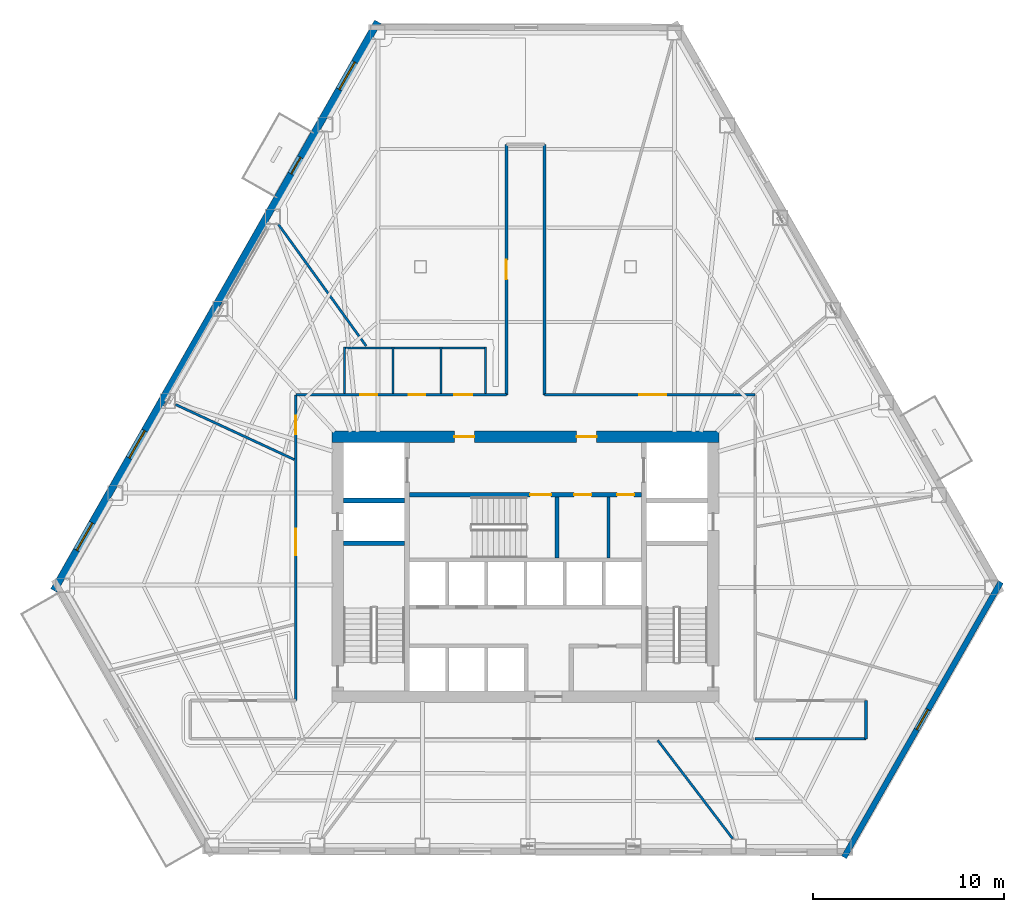
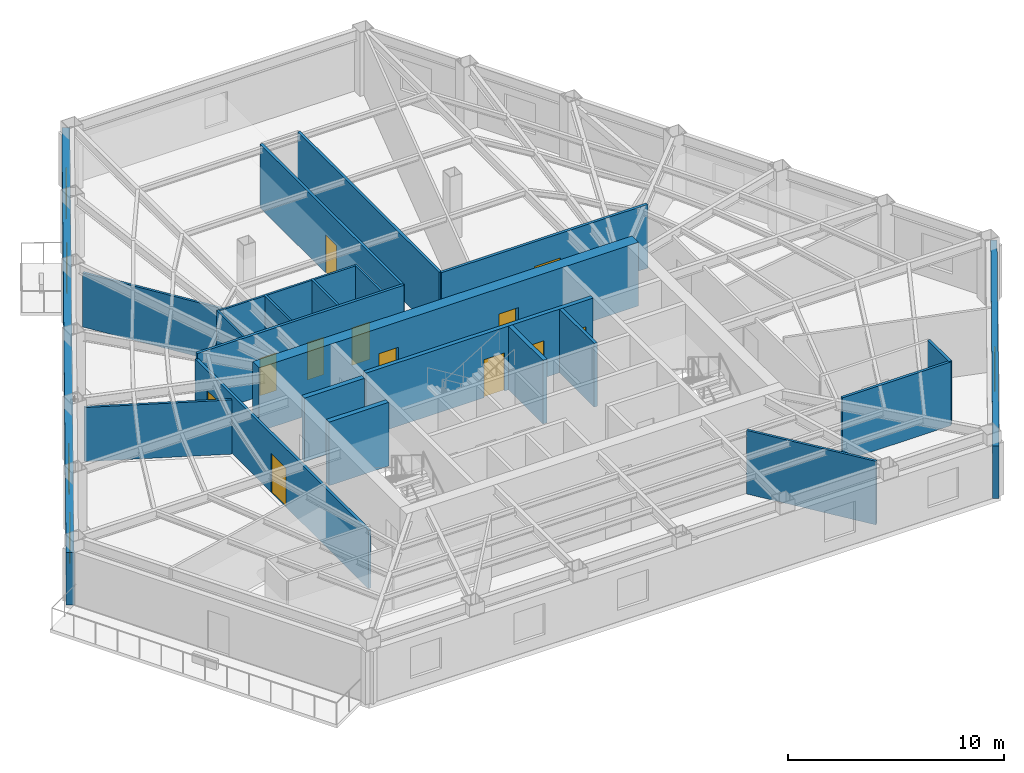
# One storey, part 9 of 14: 23 walls, 13 doors, 4 windows, 17 openings.
"""IFC4 building model written with IfcOpenShell, lengths in metres."""

from ifc_helpers import new_model, si_unit, direction, frame, frame_2d, origin, place, context, subcontext, project, spatial, rectangle, extrude, material, layer, layer_set, type_object, element, fill, save


model = new_model("IFC4")

# Units and contexts
model_context = context("Model", 3, precision=1e-05, world=origin(), true_north=direction((0.0, 1.0)))
body_context = subcontext(model_context, "Body", "Model", "MODEL_VIEW")
ifc_project = project(units=[si_unit("LENGTHUNIT", "METRE"), si_unit("AREAUNIT", "SQUARE_METRE"), si_unit("VOLUMEUNIT", "CUBIC_METRE"), si_unit("PLANEANGLEUNIT", "RADIAN"), si_unit("MASSUNIT", "GRAM", prefix="KILO")], contexts=[model_context])

# Site, building, storey
site_placement = place(None, origin())
site = spatial("IfcSite", under=ifc_project, at=site_placement, CompositionType="ELEMENT")
building_placement = place(site_placement, origin())
building = spatial("IfcBuilding", under=site, at=building_placement, Name="Kavelnor Concourse Tower", CompositionType="ELEMENT")
storey_placement = place(building_placement, frame((0.0, 0.0, 32.949951171875)))
storey = spatial("IfcBuildingStorey", under=building, at=storey_placement, Name="L08", CompositionType="ELEMENT", Elevation=32.949951171875)

# Wall, openings, doors
ifc_material_1 = material(Name="Concrete C60/75", Category="concrete")
ifc_layer_1 = layer(ifc_material_1, 0.60009765625, Name="Concrete C60/75")
ifc_layer_set_1 = layer_set([ifc_layer_1], Name="Concrete C60/75")
wall_type_1 = type_object("IfcWallType", Name="WL-CORE-Z1-600", PredefinedType="SOLIDWALL", material=ifc_layer_set_1)
wall_1_placement = place(storey_placement, frame((27.8798828125, 22.89990234375, 0.0), z_axis=(0.0, 0.0, 1.0), x_axis=(1.0, 0.0, 0.0)))
wall_1 = element("IfcWall", 1, at=wall_1_placement, inside=storey, type_object=wall_type_1, Name="L08 Central Core North Shear Wall", PredefinedType="SOLIDWALL", context=body_context, shape_type="SweptSolid", body=[
    extrude(rectangle(XDim=20.240234375, YDim=0.60009765625, at=frame_2d((10.1201171875, 0.0))), origin(), (0.0, 0.0, 1.0), 3.590087890625),
])
opening_1_placement = place(wall_1_placement, frame((6.39501953125, 0.0, 0.0)))
opening_1 = element("IfcOpeningElement", 2, at=opening_1_placement, cuts=wall_1, Name="Opening FD-105", PredefinedType="OPENING", context=body_context, shape_type="SweptSolid", body=[
    extrude(rectangle(XDim=1.050048828125, YDim=2.14990234375, at=frame_2d((0.52490234375, 1.074951171875))), frame((0.0, 0.31005859375, 0.0), z_axis=(0.0, -1.0, 0.0), x_axis=(1.0, 0.0, 0.0)), (0.0, 0.0, 1.0), 0.6201171875),
])
opening_2_placement = place(wall_1_placement, frame((12.794921875, 0.0, 0.0)))
opening_2 = element("IfcOpeningElement", 3, at=opening_2_placement, cuts=wall_1, Name="Opening FD-105", PredefinedType="OPENING", context=body_context, shape_type="SweptSolid", body=[
    extrude(rectangle(XDim=1.050048828125, YDim=2.14990234375, at=frame_2d((0.52490234375, 1.074951171875))), frame((0.0, 0.31005859375, 0.0), z_axis=(0.0, -1.0, 0.0), x_axis=(1.0, 0.0, 0.0)), (0.0, 0.0, 1.0), 0.6201171875),
])
ifc_material_2 = material(Name="Steel Grade 350", Category="steel")
door_type_1 = type_object("IfcDoorType", Name="DR-LOBBY-FIRE-1050", OperationType="NOTDEFINED", PredefinedType="DOOR", material=ifc_material_2)
door_1_placement = place(opening_1_placement, origin())
door_1 = element("IfcDoor", 4, at=door_1_placement, inside=storey, type_object=door_type_1, Name="L08 Emergency Lift Lobby West Door", OperationType="SINGLE_SWING_LEFT", OverallHeight=2.14990234375, OverallWidth=1.050048828125, PredefinedType="DOOR", context=body_context, shape_type="SweptSolid", body=[
    extrude(rectangle(XDim=1.050048828125, YDim=2.14990234375, at=frame_2d((0.52490234375, 1.074951171875))), frame((0.0, 0.02490234375, 0.0), z_axis=(0.0, -1.0, 0.0), x_axis=(1.0, 0.0, 0.0)), (0.0, 0.0, 1.0), 0.050048828125),
])
fill(opening_1, door_1)
door_2_placement = place(opening_2_placement, origin())
door_2 = element("IfcDoor", 5, at=door_2_placement, inside=storey, type_object=door_type_1, Name="L08 Emergency Lift Lobby East Door", OperationType="SINGLE_SWING_RIGHT", OverallHeight=2.14990234375, OverallWidth=1.050048828125, PredefinedType="DOOR", context=body_context, shape_type="SweptSolid", body=[
    extrude(rectangle(XDim=1.050048828125, YDim=2.14990234375, at=frame_2d((0.52490234375, 1.074951171875))), frame((0.0, 0.02490234375, 0.0), z_axis=(0.0, -1.0, 0.0), x_axis=(1.0, 0.0, 0.0)), (0.0, 0.0, 1.0), 0.050048828125),
])
fill(opening_2, door_2)

# Wall, opening, window
ifc_material_3 = material(Name="Buff ironspot clay face brick masonry", Category="masonry")
ifc_layer_2 = layer(ifc_material_3, 0.300048828125, Name="Buff ironspot clay face brick masonry")
ifc_layer_set_2 = layer_set([ifc_layer_2], Name="Buff ironspot clay face brick masonry")
wall_type_2 = type_object("IfcWallType", Name="WL-EXT-BUFF-BRICK-FOLD-300", PredefinedType="STANDARD", material=ifc_layer_set_2)
wall_2_placement = place(storey_placement, frame((62.871826171875, 15.301025390625, 0.0), z_axis=(0.0, 0.0, 1.0), x_axis=(-0.495028156912, -0.868876932519, 0.0)))
wall_2 = element("IfcWall", 6, at=wall_2_placement, inside=storey, type_object=wall_type_2, Name="L08 Exterior Brick Facade Wall E4", PredefinedType="STANDARD", context=body_context, shape_type="SweptSolid", body=[
    extrude(rectangle(XDim=16.574951171875, YDim=0.300048828125, at=frame_2d((8.28759765625, 0.0))), origin(), (0.0, 0.0, 1.0), 2.969970703125),
])
opening_3_placement = place(wall_2_placement, frame((7.6875, 0.0, 0.64990234375)))
opening_3 = element("IfcOpeningElement", 7, at=opening_3_placement, cuts=wall_2, Name="Opening W-05", PredefinedType="OPENING", context=body_context, shape_type="SweptSolid", body=[
    extrude(rectangle(XDim=1.199951171875, YDim=1.699951171875, at=frame_2d((0.60009765625, 0.85009765625))), frame((0.0, 0.16015625, 0.0), z_axis=(0.0, -1.0, 0.0), x_axis=(1.0, 0.0, 0.0)), (0.0, 0.0, 1.0), 0.320068359375),
])
ifc_material_4 = material(Name="Double low-E argon insulated glazing", Category="glass")
window_type_1 = type_object("IfcWindowType", Name="WIN-FOLD-1200", PartitioningType="SINGLE_PANEL", PredefinedType="WINDOW", material=ifc_material_4)
window_1_placement = place(opening_3_placement, origin())
window_1 = element("IfcWindow", 8, at=window_1_placement, inside=storey, type_object=window_type_1, Name="L08 Chamfer-Fold Facet Window C2", OverallHeight=1.699951171875, OverallWidth=1.199951171875, PartitioningType="SINGLE_PANEL", PredefinedType="WINDOW", context=body_context, shape_type="SweptSolid", body=[
    extrude(rectangle(XDim=1.199951171875, YDim=1.699951171875, at=frame_2d((0.60009765625, 0.85009765625))), frame((0.0, 0.030029296875, 0.0), z_axis=(0.0, -1.0, 0.0), x_axis=(1.0, 0.0, 0.0)), (0.0, 0.0, 1.0), 0.06005859375),
])
fill(opening_3, window_1)

# Wall, openings, door, windows
ifc_material_5 = material(Name="Red-ochre clay face brick masonry", Category="masonry")
ifc_layer_3 = layer(ifc_material_5, 0.3798828125, Name="Red-ochre clay face brick masonry")
ifc_layer_set_3 = layer_set([ifc_layer_3], Name="Red-ochre clay face brick masonry")
wall_type_3 = type_object("IfcWallType", Name="WL-EXT-RED-BRICK-PIER-380", PredefinedType="STANDARD", material=ifc_layer_set_3)
wall_3_placement = place(storey_placement, frame((13.31982421875, 14.8564453125, 0.0), z_axis=(0.0, 0.0, 1.0), x_axis=(0.495031565758, 0.868874990378, 0.0)))
wall_3 = element("IfcWall", 9, at=wall_3_placement, inside=storey, type_object=wall_type_3, Name="L08 Exterior Brick Facade Wall E1", PredefinedType="STANDARD", context=body_context, shape_type="SweptSolid", body=[
    extrude(rectangle(XDim=34.24951171875, YDim=0.3798828125, at=frame_2d((17.124755859375, 0.0))), origin(), (0.0, 0.0, 1.0), 2.969970703125),
])
opening_4_placement = place(wall_3_placement, frame((25.087158203125, 0.0, 0.0)))
opening_4 = element("IfcOpeningElement", 10, at=opening_4_placement, cuts=wall_3, Name="Opening BD-100", PredefinedType="OPENING", context=body_context, shape_type="SweptSolid", body=[
    extrude(rectangle(XDim=1.0, YDim=2.199951171875, at=frame_2d((0.5, 1.10009765625))), frame((0.0, 0.199951171875, 0.0), z_axis=(0.0, -1.0, 0.0), x_axis=(1.0, 0.0, 0.0)), (0.0, 0.0, 1.0), 0.39990234375),
])
opening_5_placement = place(wall_3_placement, frame((30.170166015625, 0.0, 0.64990234375)))
opening_5 = element("IfcOpeningElement", 11, at=opening_5_placement, cuts=wall_3, Name="Opening W-01", PredefinedType="OPENING", context=body_context, shape_type="SweptSolid", body=[
    extrude(rectangle(XDim=1.64990234375, YDim=1.75, at=frame_2d((0.824951171875, 0.875))), frame((0.0, 0.199951171875, 0.0), z_axis=(0.0, -1.0, 0.0), x_axis=(1.0, 0.0, 0.0)), (0.0, 0.0, 1.0), 0.39990234375),
])
opening_6_placement = place(wall_3_placement, frame((7.97314453125, 0.0, 0.64990234375)))
opening_6 = element("IfcOpeningElement", 12, at=opening_6_placement, cuts=wall_3, Name="Opening W-01", PredefinedType="OPENING", context=body_context, shape_type="SweptSolid", body=[
    extrude(rectangle(XDim=1.64990234375, YDim=1.75, at=frame_2d((0.824951171875, 0.875))), frame((0.0, 0.199951171875, 0.0), z_axis=(0.0, -1.0, 0.0), x_axis=(1.0, 0.0, 0.0)), (0.0, 0.0, 1.0), 0.39990234375),
])
opening_7_placement = place(wall_3_placement, frame((2.423828125, 0.0, 0.64990234375)))
opening_7 = element("IfcOpeningElement", 13, at=opening_7_placement, cuts=wall_3, Name="Opening W-01", PredefinedType="OPENING", context=body_context, shape_type="SweptSolid", body=[
    extrude(rectangle(XDim=1.64990234375, YDim=1.75, at=frame_2d((0.824951171875, 0.875))), frame((0.0, 0.199951171875, 0.0), z_axis=(0.0, -1.0, 0.0), x_axis=(1.0, 0.0, 0.0)), (0.0, 0.0, 1.0), 0.39990234375),
])
ifc_material_6 = material(Name="Anodised aluminium 6063-T6", Category="aluminium")
door_type_2 = type_object("IfcDoorType", Name="DR-BALCONY-EXT-1000", OperationType="NOTDEFINED", PredefinedType="DOOR", material=ifc_material_6)
door_3_placement = place(opening_4_placement, origin())
door_3 = element("IfcDoor", 14, at=door_3_placement, inside=storey, type_object=door_type_2, Name="L08 Tree Balcony 2 Glazed Door", OperationType="SINGLE_SWING_RIGHT", OverallHeight=2.199951171875, OverallWidth=1.0, PredefinedType="DOOR", context=body_context, shape_type="SweptSolid", body=[
    extrude(rectangle(XDim=1.0, YDim=2.199951171875, at=frame_2d((0.5, 1.10009765625))), frame((0.0, 0.02490234375, 0.0), z_axis=(0.0, -1.0, 0.0), x_axis=(1.0, 0.0, 0.0)), (0.0, 0.0, 1.0), 0.050048828125),
])
fill(opening_4, door_3)
window_type_2 = type_object("IfcWindowType", Name="WIN-PIER-Z1-1800", PartitioningType="SINGLE_PANEL", PredefinedType="WINDOW", material=ifc_material_4)
window_2_placement = place(opening_5_placement, origin())
window_2 = element("IfcWindow", 15, at=window_2_placement, inside=storey, type_object=window_type_2, Name="L08 Deep-Set Brick Pier Window F0-B0", OverallHeight=1.75, OverallWidth=1.64990234375, PartitioningType="SINGLE_PANEL", PredefinedType="WINDOW", context=body_context, shape_type="SweptSolid", body=[
    extrude(rectangle(XDim=1.64990234375, YDim=1.75, at=frame_2d((0.824951171875, 0.875))), frame((0.0, 0.030029296875, 0.0), z_axis=(0.0, -1.0, 0.0), x_axis=(1.0, 0.0, 0.0)), (0.0, 0.0, 1.0), 0.06005859375),
])
fill(opening_5, window_2)
window_3_placement = place(opening_6_placement, origin())
window_3 = element("IfcWindow", 16, at=window_3_placement, inside=storey, type_object=window_type_2, Name="L08 Deep-Set Brick Pier Window F0-B4", OverallHeight=1.75, OverallWidth=1.64990234375, PartitioningType="SINGLE_PANEL", PredefinedType="WINDOW", context=body_context, shape_type="SweptSolid", body=[
    extrude(rectangle(XDim=1.64990234375, YDim=1.75, at=frame_2d((0.824951171875, 0.875))), frame((0.0, 0.030029296875, 0.0), z_axis=(0.0, -1.0, 0.0), x_axis=(1.0, 0.0, 0.0)), (0.0, 0.0, 1.0), 0.06005859375),
])
fill(opening_6, window_3)
window_4_placement = place(opening_7_placement, origin())
window_4 = element("IfcWindow", 17, at=window_4_placement, inside=storey, type_object=window_type_2, Name="L08 Deep-Set Brick Pier Window F0-B5", OverallHeight=1.75, OverallWidth=1.64990234375, PartitioningType="SINGLE_PANEL", PredefinedType="WINDOW", context=body_context, shape_type="SweptSolid", body=[
    extrude(rectangle(XDim=1.64990234375, YDim=1.75, at=frame_2d((0.824951171875, 0.875))), frame((0.0, 0.030029296875, 0.0), z_axis=(0.0, -1.0, 0.0), x_axis=(1.0, 0.0, 0.0)), (0.0, 0.0, 1.0), 0.06005859375),
])
fill(opening_7, window_4)

# Wall, openings, doors
ifc_material_7 = material(Name="Gypsum plasterboard on light-gauge steel studs", Category="steel")
ifc_layer_4 = layer(ifc_material_7, 0.14501953125, Name="Gypsum plasterboard on light-gauge steel studs")
ifc_layer_set_4 = layer_set([ifc_layer_4], Name="Gypsum plasterboard on light-gauge steel studs")
wall_type_4 = type_object("IfcWallType", Name="WL-INT-CORR-145", PredefinedType="PARTITIONING", material=ifc_layer_set_4)
wall_4_placement = place(storey_placement, frame((25.97998046875, 9.10009765625, 0.0), z_axis=(0.0, 0.0, 1.0), x_axis=(0.0, 1.0, 0.0)))
wall_4 = element("IfcWall", 18, at=wall_4_placement, inside=storey, type_object=wall_type_4, Name="L08 Corridor Wall WL-L08-CR-02", PredefinedType="PARTITIONING", context=body_context, shape_type="SweptSolid", body=[
    extrude(rectangle(XDim=16.0, YDim=0.14501953125, at=frame_2d((8.0, 0.0))), origin(), (0.0, 0.0, 1.0), 3.278076171875),
])
opening_8_placement = place(wall_4_placement, frame((13.93017578125, 0.0, 0.0)))
opening_8 = element("IfcOpeningElement", 19, at=opening_8_placement, cuts=wall_4, Name="Opening OD-098", PredefinedType="OPENING", context=body_context, shape_type="SweptSolid", body=[
    extrude(rectangle(XDim=0.97998046875, YDim=2.14990234375, at=frame_2d((0.489990234375, 1.074951171875))), frame((0.0, 0.08251953125, 0.0), z_axis=(0.0, -1.0, 0.0), x_axis=(1.0, 0.0, 0.0)), (0.0, 0.0, 1.0), 0.1650390625),
])
opening_9_placement = place(wall_4_placement, frame((7.59521484375, 0.0, 0.0)))
opening_9 = element("IfcOpeningElement", 20, at=opening_9_placement, cuts=wall_4, Name="Opening SD-140", PredefinedType="OPENING", context=body_context, shape_type="SweptSolid", body=[
    extrude(rectangle(XDim=1.39990234375, YDim=2.199951171875, at=frame_2d((0.699951171875, 1.10009765625))), frame((0.0, 0.08251953125, 0.0), z_axis=(0.0, -1.0, 0.0), x_axis=(1.0, 0.0, 0.0)), (0.0, 0.0, 1.0), 0.1650390625),
])
ifc_material_8 = material(Name="Solid-core hardwood timber", Category="wood")
door_type_3 = type_object("IfcDoorType", Name="DR-OFFICE-980", OperationType="NOTDEFINED", PredefinedType="DOOR", material=ifc_material_8)
door_4_placement = place(opening_8_placement, origin())
door_4 = element("IfcDoor", 21, at=door_4_placement, inside=storey, type_object=door_type_3, Name="L08 Technical Reference Library 04 Door", OperationType="SINGLE_SWING_LEFT", OverallHeight=2.14990234375, OverallWidth=0.97998046875, PredefinedType="DOOR", context=body_context, shape_type="SweptSolid", body=[
    extrude(rectangle(XDim=0.97998046875, YDim=2.14990234375, at=frame_2d((0.489990234375, 1.074951171875))), frame((0.0, 0.02490234375, 0.0), z_axis=(0.0, -1.0, 0.0), x_axis=(1.0, 0.0, 0.0)), (0.0, 0.0, 1.0), 0.050048828125),
])
fill(opening_8, door_4)
door_type_4 = type_object("IfcDoorType", Name="DR-SUITE-ENTRY-1400", OperationType="NOTDEFINED", PredefinedType="DOOR", material=ifc_material_8)
door_5_placement = place(opening_9_placement, origin())
door_5 = element("IfcDoor", 22, at=door_5_placement, inside=storey, type_object=door_type_4, Name="L08 Technical Reference Library 05 Door", OperationType="SINGLE_SWING_RIGHT", OverallHeight=2.199951171875, OverallWidth=1.39990234375, PredefinedType="DOOR", context=body_context, shape_type="SweptSolid", body=[
    extrude(rectangle(XDim=1.39990234375, YDim=2.199951171875, at=frame_2d((0.699951171875, 1.10009765625))), frame((0.0, 0.02490234375, 0.0), z_axis=(0.0, -1.0, 0.0), x_axis=(1.0, 0.0, 0.0)), (0.0, 0.0, 1.0), 0.050048828125),
])
fill(opening_9, door_5)

wall_5_placement = place(storey_placement, frame((25.97998046875, 25.10009765625, 0.0), z_axis=(0.0, 0.0, 1.0), x_axis=(1.0, 0.0, 0.0)))
wall_5 = element("IfcWall", 23, at=wall_5_placement, inside=storey, type_object=wall_type_4, Name="L08 Corridor Wall WL-L08-CR-03", PredefinedType="PARTITIONING", context=body_context, shape_type="SweptSolid", body=[
    extrude(rectangle(XDim=11.02001953125, YDim=0.14501953125, at=frame_2d((5.510009765625, 0.0))), origin(), (0.0, 0.0, 1.0), 3.590087890625),
])
opening_10_placement = place(wall_5_placement, frame((3.3798828125, 0.0, 0.0)))
opening_10 = element("IfcOpeningElement", 24, at=opening_10_placement, cuts=wall_5, Name="Opening WD-088", PredefinedType="OPENING", context=body_context, shape_type="SweptSolid", body=[
    extrude(rectangle(XDim=0.8798828125, YDim=2.10009765625, at=frame_2d((0.43994140625, 1.050048828125))), frame((0.0, 0.08251953125, 0.0), z_axis=(0.0, -1.0, 0.0), x_axis=(1.0, 0.0, 0.0)), (0.0, 0.0, 1.0), 0.1650390625),
])
opening_11_placement = place(wall_5_placement, frame((5.89990234375, 0.0, 0.0)))
opening_11 = element("IfcOpeningElement", 25, at=opening_11_placement, cuts=wall_5, Name="Opening WD-088", PredefinedType="OPENING", context=body_context, shape_type="SweptSolid", body=[
    extrude(rectangle(XDim=0.8798828125, YDim=2.10009765625, at=frame_2d((0.43994140625, 1.050048828125))), frame((0.0, 0.08251953125, 0.0), z_axis=(0.0, -1.0, 0.0), x_axis=(1.0, 0.0, 0.0)), (0.0, 0.0, 1.0), 0.1650390625),
])
opening_12_placement = place(wall_5_placement, frame((8.280029296875, 0.0, 0.0)))
opening_12 = element("IfcOpeningElement", 26, at=opening_12_placement, cuts=wall_5, Name="Opening WD-096", PredefinedType="OPENING", context=body_context, shape_type="SweptSolid", body=[
    extrude(rectangle(XDim=0.9599609375, YDim=2.10009765625, at=frame_2d((0.47998046875, 1.050048828125))), frame((0.0, 0.08251953125, 0.0), z_axis=(0.0, -1.0, 0.0), x_axis=(1.0, 0.0, 0.0)), (0.0, 0.0, 1.0), 0.1650390625),
])
door_type_5 = type_object("IfcDoorType", Name="DR-WC-ACC-960", OperationType="NOTDEFINED", PredefinedType="DOOR", material=ifc_material_8)
door_6_placement = place(opening_12_placement, origin())
door_6 = element("IfcDoor", 27, at=door_6_placement, inside=storey, type_object=door_type_5, Name="L08 Accessible WC Door", OperationType="SINGLE_SWING_RIGHT", OverallHeight=2.10009765625, OverallWidth=0.9599609375, PredefinedType="DOOR", context=body_context, shape_type="SweptSolid", body=[
    extrude(rectangle(XDim=0.9599609375, YDim=2.10009765625, at=frame_2d((0.47998046875, 1.050048828125))), frame((0.0, 0.02490234375, 0.0), z_axis=(0.0, -1.0, 0.0), x_axis=(1.0, 0.0, 0.0)), (0.0, 0.0, 1.0), 0.050048828125),
])
fill(opening_12, door_6)
door_type_6 = type_object("IfcDoorType", Name="DR-WC-STD-880", OperationType="NOTDEFINED", PredefinedType="DOOR", material=ifc_material_8)
door_7_placement = place(opening_10_placement, origin())
door_7 = element("IfcDoor", 28, at=door_7_placement, inside=storey, type_object=door_type_6, Name="L08 Male WC Door", OperationType="SINGLE_SWING_RIGHT", OverallHeight=2.10009765625, OverallWidth=0.8798828125, PredefinedType="DOOR", context=body_context, shape_type="SweptSolid", body=[
    extrude(rectangle(XDim=0.8798828125, YDim=2.10009765625, at=frame_2d((0.43994140625, 1.050048828125))), frame((0.0, 0.02490234375, 0.0), z_axis=(0.0, -1.0, 0.0), x_axis=(1.0, 0.0, 0.0)), (0.0, 0.0, 1.0), 0.050048828125),
])
fill(opening_10, door_7)
door_8_placement = place(opening_11_placement, origin())
door_8 = element("IfcDoor", 29, at=door_8_placement, inside=storey, type_object=door_type_6, Name="L08 Female WC Door", OperationType="SINGLE_SWING_LEFT", OverallHeight=2.10009765625, OverallWidth=0.8798828125, PredefinedType="DOOR", context=body_context, shape_type="SweptSolid", body=[
    extrude(rectangle(XDim=0.8798828125, YDim=2.10009765625, at=frame_2d((0.43994140625, 1.050048828125))), frame((0.0, 0.02490234375, 0.0), z_axis=(0.0, -1.0, 0.0), x_axis=(1.0, 0.0, 0.0)), (0.0, 0.0, 1.0), 0.050048828125),
])
fill(opening_11, door_8)

# Wall, opening, door
wall_6_placement = place(storey_placement, frame((37.0, 25.10009765625, 0.0), z_axis=(0.0, 0.0, 1.0), x_axis=(0.0, 1.0, 0.0)))
wall_6 = element("IfcWall", 30, at=wall_6_placement, inside=storey, type_object=wall_type_4, Name="L08 Corridor Wall WL-L08-CR-04", PredefinedType="PARTITIONING", context=body_context, shape_type="SweptSolid", body=[
    extrude(rectangle(XDim=13.099853515625, YDim=0.14501953125, at=frame_2d((6.5498046875, 0.0))), origin(), (0.0, 0.0, 1.0), 3.590087890625),
])
opening_13_placement = place(wall_6_placement, frame((6.0400390625, 0.0, 0.0)))
opening_13 = element("IfcOpeningElement", 31, at=opening_13_placement, cuts=wall_6, Name="Opening MD-102", PredefinedType="OPENING", context=body_context, shape_type="SweptSolid", body=[
    extrude(rectangle(XDim=1.02001953125, YDim=2.14990234375, at=frame_2d((0.510009765625, 1.074951171875))), frame((0.0, 0.08251953125, 0.0), z_axis=(0.0, -1.0, 0.0), x_axis=(1.0, 0.0, 0.0)), (0.0, 0.0, 1.0), 0.1650390625),
])
ifc_material_9 = material(Name="Acoustic glazed timber frame", Category="wood")
door_type_7 = type_object("IfcDoorType", Name="DR-MEETING-1020", OperationType="NOTDEFINED", PredefinedType="DOOR", material=ifc_material_9)
door_9_placement = place(opening_13_placement, origin())
door_9 = element("IfcDoor", 32, at=door_9_placement, inside=storey, type_object=door_type_7, Name="L08 Client Boardroom 03 Door", OperationType="SINGLE_SWING_RIGHT", OverallHeight=2.14990234375, OverallWidth=1.02001953125, PredefinedType="DOOR", context=body_context, shape_type="SweptSolid", body=[
    extrude(rectangle(XDim=1.02001953125, YDim=2.14990234375, at=frame_2d((0.510009765625, 1.074951171875))), frame((0.0, 0.02490234375, 0.0), z_axis=(0.0, -1.0, 0.0), x_axis=(1.0, 0.0, 0.0)), (0.0, 0.0, 1.0), 0.050048828125),
])
fill(opening_13, door_9)

# Wall
wall_7_placement = place(storey_placement, frame((39.0, 38.199951171875, 0.0), z_axis=(0.0, 0.0, 1.0), x_axis=(0.0, -1.0, 0.0)))
element("IfcWall", 33, at=wall_7_placement, inside=storey, type_object=wall_type_4, Name="L08 Corridor Wall WL-L08-CR-06", PredefinedType="PARTITIONING", context=body_context, shape_type="SweptSolid", body=[
    extrude(rectangle(XDim=13.099853515625, YDim=0.14501953125, at=frame_2d((6.5498046875, 0.0))), origin(), (0.0, 0.0, 1.0), 3.590087890625),
])

# Wall, opening, door
wall_8_placement = place(storey_placement, frame((39.0, 25.10009765625, 0.0), z_axis=(0.0, 0.0, 1.0), x_axis=(1.0, 0.0, 0.0)))
wall_8 = element("IfcWall", 34, at=wall_8_placement, inside=storey, type_object=wall_type_4, Name="L08 Corridor Wall WL-L08-CR-07", PredefinedType="PARTITIONING", context=body_context, shape_type="SweptSolid", body=[
    extrude(rectangle(XDim=11.02001953125, YDim=0.14501953125, at=frame_2d((5.510009765625, 0.0))), origin(), (0.0, 0.0, 1.0), 3.590087890625),
])
opening_14_placement = place(wall_8_placement, frame((4.959228515625, 0.0, 0.0)))
opening_14 = element("IfcOpeningElement", 35, at=opening_14_placement, cuts=wall_8, Name="Opening SD-140", PredefinedType="OPENING", context=body_context, shape_type="SweptSolid", body=[
    extrude(rectangle(XDim=1.39990234375, YDim=2.199951171875, at=frame_2d((0.699951171875, 1.10009765625))), frame((0.0, 0.08251953125, 0.0), z_axis=(0.0, -1.0, 0.0), x_axis=(1.0, 0.0, 0.0)), (0.0, 0.0, 1.0), 0.1650390625),
])
door_10_placement = place(opening_14_placement, origin())
door_10 = element("IfcDoor", 36, at=door_10_placement, inside=storey, type_object=door_type_4, Name="L08 Architectural Design Studio 02 Door", OperationType="SINGLE_SWING_LEFT", OverallHeight=2.199951171875, OverallWidth=1.39990234375, PredefinedType="DOOR", context=body_context, shape_type="SweptSolid", body=[
    extrude(rectangle(XDim=1.39990234375, YDim=2.199951171875, at=frame_2d((0.699951171875, 1.10009765625))), frame((0.0, 0.02490234375, 0.0), z_axis=(0.0, -1.0, 0.0), x_axis=(1.0, 0.0, 0.0)), (0.0, 0.0, 1.0), 0.050048828125),
])
fill(opening_14, door_10)

# Walls
wall_9_placement = place(storey_placement, frame((55.817138671875, 9.10009765625, 0.0), z_axis=(0.0, 0.0, 1.0), x_axis=(0.0, -1.0, 0.0)))
element("IfcWall", 37, at=wall_9_placement, inside=storey, type_object=wall_type_4, Name="L08 Corridor Wall WL-L08-CR-10", PredefinedType="PARTITIONING", context=body_context, shape_type="SweptSolid", body=[
    extrude(rectangle(XDim=2.0, YDim=0.14501953125, at=frame_2d((1.0, 0.0))), origin(), (0.0, 0.0, 1.0), 3.590087890625),
])
wall_10_placement = place(storey_placement, frame((55.817138671875, 7.10009765625, 0.0), z_axis=(0.0, 0.0, 1.0), x_axis=(-1.0, 0.0, 0.0)))
element("IfcWall", 38, at=wall_10_placement, inside=storey, type_object=wall_type_4, Name="L08 Corridor Wall WL-L08-CR-11", PredefinedType="PARTITIONING", context=body_context, shape_type="SweptSolid", body=[
    extrude(rectangle(XDim=5.797119140625, YDim=0.14501953125, at=frame_2d((2.8984375, 0.0))), origin(), (0.0, 0.0, 1.0), 3.590087890625),
])
ifc_layer_5 = layer(ifc_material_7, 0.1650390625, Name="Gypsum plasterboard on light-gauge steel studs")
ifc_layer_set_5 = layer_set([ifc_layer_5], Name="Gypsum plasterboard on light-gauge steel studs")
wall_type_5 = type_object("IfcWallType", Name="WL-INT-FIRE-165", PredefinedType="PARTITIONING", material=ifc_layer_set_5)
wall_11_placement = place(storey_placement, frame((42.35009765625, 16.56005859375, 0.0), z_axis=(0.0, 0.0, 1.0), x_axis=(0.0, 1.0, 0.0)))
element("IfcWall", 39, at=wall_11_placement, inside=storey, type_object=wall_type_5, Name="L08 Core Support Asymmetric Divider", PredefinedType="PARTITIONING", context=body_context, shape_type="SweptSolid", body=[
    extrude(rectangle(XDim=3.199951171875, YDim=0.1650390625, at=frame_2d((1.60009765625, 0.0))), origin(), (0.0, 0.0, 1.0), 3.590087890625),
])
ifc_layer_6 = layer(ifc_material_7, 0.125, Name="Gypsum plasterboard on light-gauge steel studs")
ifc_layer_set_6 = layer_set([ifc_layer_6], Name="Gypsum plasterboard on light-gauge steel studs")
wall_type_6 = type_object("IfcWallType", Name="WL-INT-SUITE-125", PredefinedType="PARTITIONING", material=ifc_layer_set_6)
wall_12_placement = place(storey_placement, frame((29.664306640625, 27.64990234375, 0.0), z_axis=(0.0, 0.0, 1.0), x_axis=(-0.585209960971, 0.810881804939, 0.0)))
element("IfcWall", 40, at=wall_12_placement, inside=storey, type_object=wall_type_6, Name="L08 Radial Suite Partition 04", PredefinedType="PARTITIONING", context=body_context, shape_type="SweptSolid", body=[
    extrude(rectangle(XDim=7.84765625, YDim=0.125, at=frame_2d((3.923828125, 0.0))), origin(), (0.0, 0.0, 1.0), 3.05712890625),
])
wall_13_placement = place(storey_placement, frame((25.8994140625, 21.71044921875, 0.0), z_axis=(0.0, 0.0, 1.0), x_axis=(-0.907224939094, 0.420645824757, 0.0)))
element("IfcWall", 41, at=wall_13_placement, inside=storey, type_object=wall_type_6, Name="L08 Radial Suite Partition 05", PredefinedType="PARTITIONING", context=body_context, shape_type="SweptSolid", body=[
    extrude(rectangle(XDim=6.8427734375, YDim=0.125, at=frame_2d((3.42138671875, 0.0))), origin(), (0.0, 0.0, 1.0), 3.05712890625),
])
wall_14_placement = place(storey_placement, frame((44.919921875, 7.01953125, 0.0), z_axis=(0.0, 0.0, 1.0), x_axis=(0.606136374811, -0.795360732706, 0.0)))
element("IfcWall", 42, at=wall_14_placement, inside=storey, type_object=wall_type_6, Name="L08 Radial Suite Partition 08", PredefinedType="PARTITIONING", context=body_context, shape_type="SweptSolid", body=[
    extrude(rectangle(XDim=6.474365234375, YDim=0.125, at=frame_2d((3.2373046875, 0.0))), origin(), (0.0, 0.0, 1.0), 3.590087890625),
])
ifc_layer_7 = layer(ifc_material_7, 0.110107421875, Name="Gypsum plasterboard on light-gauge steel studs")
ifc_layer_set_7 = layer_set([ifc_layer_7], Name="Gypsum plasterboard on light-gauge steel studs")
wall_type_7 = type_object("IfcWallType", Name="WL-INT-WC-110", PredefinedType="PLUMBINGWALL", material=ifc_layer_set_7)
for number, where, z_axis, x_axis, name in (
    (43, (28.5400390625, 25.169921875, 0.0), (0.0, 0.0, 1.0), (0.0, 1.0, 0.0), "L08 Sanitary Partition WL-L08-WC-W"),
    (44, (31.06005859375, 25.169921875, 0.0), (0.0, 0.0, 1.0), (0.0, 1.0, 0.0), "L08 Sanitary Partition WL-L08-WC-D1"),
    (45, (33.580078125, 25.169921875, 0.0), (0.0, 0.0, 1.0), (0.0, 1.0, 0.0), "L08 Sanitary Partition WL-L08-WC-D2"),
    (46, (35.89990234375, 25.169921875, 0.0), (0.0, 0.0, 1.0), (0.0, 1.0, 0.0), "L08 Sanitary Partition WL-L08-WC-E"),
):
    element("IfcWall", number, at=place(storey_placement, frame(where, z_axis=z_axis, x_axis=x_axis)), inside=storey, type_object=wall_type_7, Name=name, PredefinedType="PLUMBINGWALL", context=body_context, shape_type="SweptSolid", body=[
        extrude(rectangle(XDim=2.440185546875, YDim=0.110107421875, at=frame_2d((1.22021484375, 0.0))), origin(), (0.0, 0.0, 1.0), 3.590087890625),
    ])
wall_15_placement = place(storey_placement, frame((28.489990234375, 27.550048828125, 0.0), z_axis=(0.0, 0.0, 1.0), x_axis=(1.0, 0.0, 0.0)))
element("IfcWall", 47, at=wall_15_placement, inside=storey, type_object=wall_type_7, Name="L08 Sanitary Partition WL-L08-WC-N", PredefinedType="PLUMBINGWALL", context=body_context, shape_type="SweptSolid", body=[
    extrude(rectangle(XDim=7.4599609375, YDim=0.110107421875, at=frame_2d((3.72998046875, 0.0))), origin(), (0.0, 0.0, 1.0), 3.590087890625),
])

# Wall, openings, doors
ifc_material_10 = material(Name="Concrete C50/60", Category="concrete")
ifc_layer_8 = layer(ifc_material_10, 0.219970703125, Name="Concrete C50/60")
ifc_layer_set_8 = layer_set([ifc_layer_8], Name="Concrete C50/60")
wall_type_8 = type_object("IfcWallType", Name="WL-SHAFT-220", PredefinedType="SOLIDWALL", material=ifc_layer_set_8)
wall_16_placement = place(storey_placement, frame((31.93994140625, 19.8701171875, 0.0), z_axis=(0.0, 0.0, 1.0), x_axis=(1.0, 0.0, 0.0)))
wall_16 = element("IfcWall", 48, at=wall_16_placement, inside=storey, type_object=wall_type_8, Name="L08 Emergency Lift Lobby South Wall", PredefinedType="SOLIDWALL", context=body_context, shape_type="SweptSolid", body=[
    extrude(rectangle(XDim=12.1201171875, YDim=0.219970703125, at=frame_2d((6.06005859375, 0.0))), origin(), (0.0, 0.0, 1.0), 3.590087890625),
])
opening_15_placement = place(wall_16_placement, frame((6.300048828125, 0.0, 0.0)))
opening_15 = element("IfcOpeningElement", 49, at=opening_15_placement, cuts=wall_16, Name="Opening FD-110", PredefinedType="OPENING", context=body_context, shape_type="SweptSolid", body=[
    extrude(rectangle(XDim=1.10009765625, YDim=2.14990234375, at=frame_2d((0.550048828125, 1.074951171875))), frame((0.0, 0.1201171875, 0.0), z_axis=(0.0, -1.0, 0.0), x_axis=(1.0, 0.0, 0.0)), (0.0, 0.0, 1.0), 0.239990234375),
])
opening_16_placement = place(wall_16_placement, frame((8.610107421875, 0.0, 0.0)))
opening_16 = element("IfcOpeningElement", 50, at=opening_16_placement, cuts=wall_16, Name="Opening FD-090", PredefinedType="OPENING", context=body_context, shape_type="SweptSolid", body=[
    extrude(rectangle(XDim=0.89990234375, YDim=2.10009765625, at=frame_2d((0.449951171875, 1.050048828125))), frame((0.0, 0.1201171875, 0.0), z_axis=(0.0, -1.0, 0.0), x_axis=(1.0, 0.0, 0.0)), (0.0, 0.0, 1.0), 0.239990234375),
])
opening_17_placement = place(wall_16_placement, frame((10.85009765625, 0.0, 0.0)))
opening_17 = element("IfcOpeningElement", 51, at=opening_17_placement, cuts=wall_16, Name="Opening FD-090", PredefinedType="OPENING", context=body_context, shape_type="SweptSolid", body=[
    extrude(rectangle(XDim=0.89990234375, YDim=2.10009765625, at=frame_2d((0.449951171875, 1.050048828125))), frame((0.0, 0.1201171875, 0.0), z_axis=(0.0, -1.0, 0.0), x_axis=(1.0, 0.0, 0.0)), (0.0, 0.0, 1.0), 0.239990234375),
])
door_type_8 = type_object("IfcDoorType", Name="DR-RISER-FIRE-900", OperationType="NOTDEFINED", PredefinedType="DOOR", material=ifc_material_2)
door_11_placement = place(opening_16_placement, origin())
door_11 = element("IfcDoor", 52, at=door_11_placement, inside=storey, type_object=door_type_8, Name="L08 Electrical Room Door", OperationType="SINGLE_SWING_LEFT", OverallHeight=2.10009765625, OverallWidth=0.89990234375, PredefinedType="DOOR", context=body_context, shape_type="SweptSolid", body=[
    extrude(rectangle(XDim=0.89990234375, YDim=2.10009765625, at=frame_2d((0.449951171875, 1.050048828125))), frame((0.0, 0.02490234375, 0.0), z_axis=(0.0, -1.0, 0.0), x_axis=(1.0, 0.0, 0.0)), (0.0, 0.0, 1.0), 0.050048828125),
])
fill(opening_16, door_11)
door_12_placement = place(opening_17_placement, origin())
door_12 = element("IfcDoor", 53, at=door_12_placement, inside=storey, type_object=door_type_8, Name="L08 Cleaner Store Door", OperationType="SINGLE_SWING_RIGHT", OverallHeight=2.10009765625, OverallWidth=0.89990234375, PredefinedType="DOOR", context=body_context, shape_type="SweptSolid", body=[
    extrude(rectangle(XDim=0.89990234375, YDim=2.10009765625, at=frame_2d((0.449951171875, 1.050048828125))), frame((0.0, 0.02490234375, 0.0), z_axis=(0.0, -1.0, 0.0), x_axis=(1.0, 0.0, 0.0)), (0.0, 0.0, 1.0), 0.050048828125),
])
fill(opening_17, door_12)
door_type_9 = type_object("IfcDoorType", Name="DR-STAIR-FIRE-1100", OperationType="NOTDEFINED", PredefinedType="DOOR", material=ifc_material_2)
door_13_placement = place(opening_15_placement, origin())
door_13 = element("IfcDoor", 54, at=door_13_placement, inside=storey, type_object=door_type_9, Name="L08 Stair ST3 Fire Door", OperationType="SINGLE_SWING_LEFT", OverallHeight=2.14990234375, OverallWidth=1.10009765625, PredefinedType="DOOR", context=body_context, shape_type="SweptSolid", body=[
    extrude(rectangle(XDim=1.10009765625, YDim=2.14990234375, at=frame_2d((0.550048828125, 1.074951171875))), frame((0.0, 0.02490234375, 0.0), z_axis=(0.0, -1.0, 0.0), x_axis=(1.0, 0.0, 0.0)), (0.0, 0.0, 1.0), 0.050048828125),
])
fill(opening_15, door_13)

# Walls
wall_17_placement = place(storey_placement, frame((39.64990234375, 16.56005859375, 0.0), z_axis=(0.0, 0.0, 1.0), x_axis=(0.0, 1.0, 0.0)))
element("IfcWall", 55, at=wall_17_placement, inside=storey, type_object=wall_type_8, Name="L08 Stair ST3 East Core Wall", PredefinedType="SOLIDWALL", context=body_context, shape_type="SweptSolid", body=[
    extrude(rectangle(XDim=3.199951171875, YDim=0.219970703125, at=frame_2d((1.60009765625, 0.0))), origin(), (0.0, 0.0, 1.0), 3.590087890625),
])
ifc_layer_9 = layer(ifc_material_10, 0.260009765625, Name="Concrete C50/60")
ifc_layer_set_9 = layer_set([ifc_layer_9], Name="Concrete C50/60")
wall_type_9 = type_object("IfcWallType", Name="WL-SHAFT-260", PredefinedType="SHEAR", material=ifc_layer_set_9)
for number, where, z_axis, x_axis, name in (
    (56, (28.47998046875, 17.330078125, 0.0), (0.0, 0.0, 1.0), (1.0, 0.0, 0.0), "L08 Stair ST1 North Shaft Wall"),
    (57, (28.47998046875, 19.570068359375, 0.0), (0.0, 0.0, 1.0), (1.0, 0.0, 0.0), "L08 Emergency Lift FL1 South Shaft Wall"),
):
    element("IfcWall", number, at=place(storey_placement, frame(where, z_axis=z_axis, x_axis=x_axis)), inside=storey, type_object=wall_type_9, Name=name, PredefinedType="SHEAR", context=body_context, shape_type="SweptSolid", body=[
        extrude(rectangle(XDim=3.199951171875, YDim=0.260009765625, at=frame_2d((1.60009765625, 0.0))), origin(), (0.0, 0.0, 1.0), 3.590087890625),
    ])

save(model, "model.ifc")
